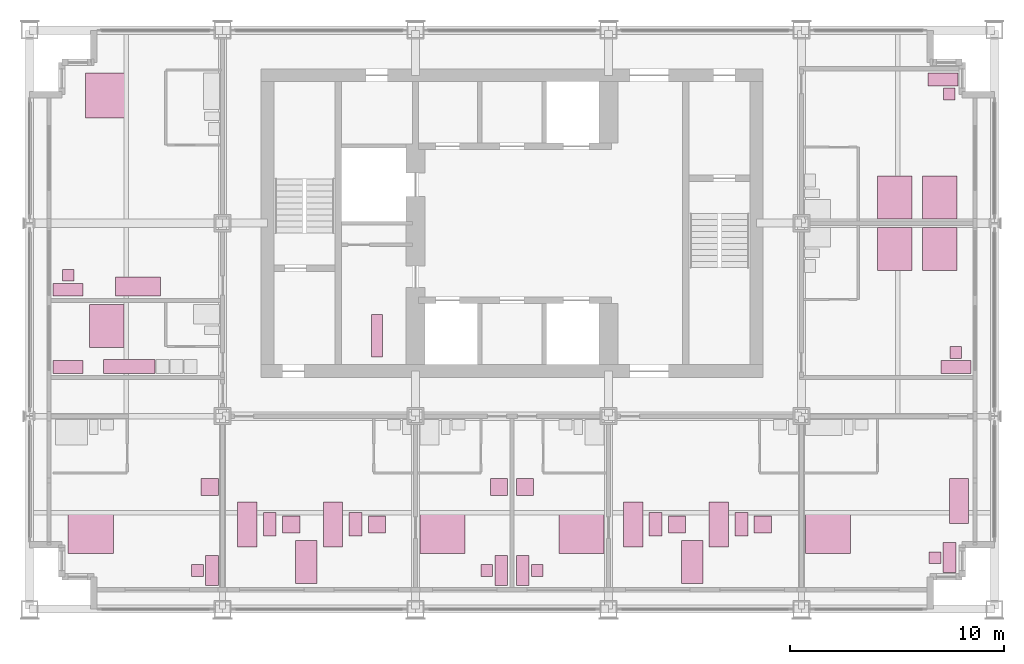
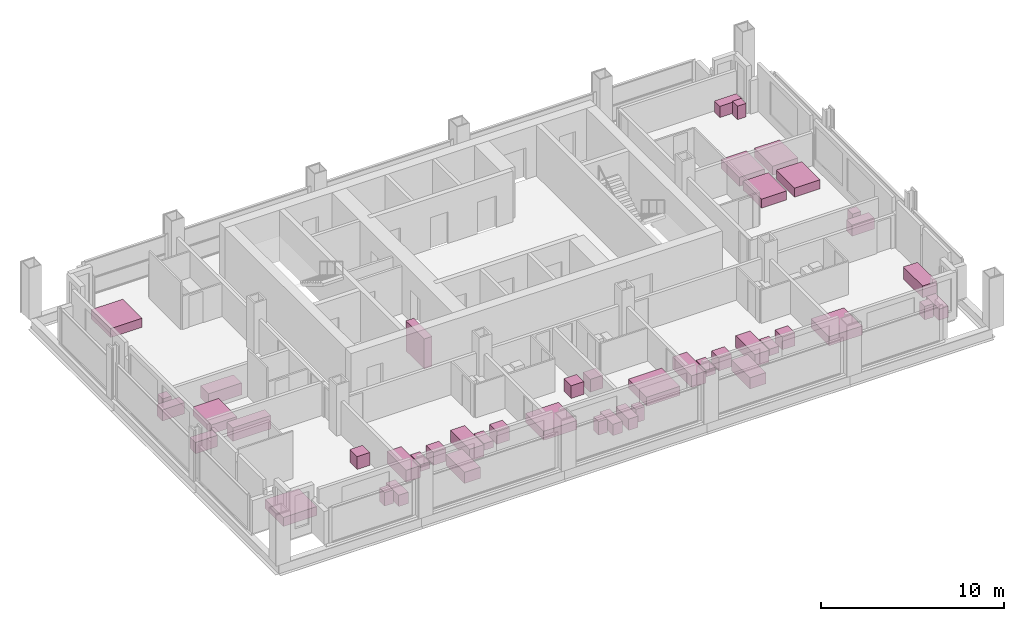
# One storey, part 13 of 13: 46 furniture elements.
"""IFC4 building model written with IfcOpenShell, lengths in metres."""

from ifc_helpers import new_model, si_unit, direction, frame, origin, origin_2d, place, context, subcontext, project, spatial, rectangle, extrude, element, save


model = new_model("IFC4")

# Units and contexts
model_context = context("Model", 3, precision=1e-05, world=origin(), true_north=direction((0.0, 1.0)))
body_context = subcontext(model_context, "Body", "Model", "MODEL_VIEW")
ifc_project = project(units=[si_unit("LENGTHUNIT", "METRE"), si_unit("AREAUNIT", "SQUARE_METRE"), si_unit("VOLUMEUNIT", "CUBIC_METRE"), si_unit("PLANEANGLEUNIT", "RADIAN"), si_unit("MASSUNIT", "GRAM", prefix="KILO")], contexts=[model_context])

# Site, building, storey
site_placement = place(None, origin())
site = spatial("IfcSite", under=ifc_project, at=site_placement, CompositionType="ELEMENT")
building_placement = place(site_placement, origin())
building = spatial("IfcBuilding", under=site, at=building_placement, Name="Loomwork Tower", CompositionType="ELEMENT")
storey_placement = place(building_placement, frame((0.0, 0.0, 218.199951171875)))
storey = spatial("IfcBuildingStorey", under=building, at=storey_placement, Name="L60", CompositionType="ELEMENT", Elevation=218.199951171875)

# Furniture
furniture_1_placement = place(storey_placement, frame((2.85009765625, 3.60009765625, 0.0), z_axis=(0.0, 0.0, 1.0), x_axis=(1.0, 0.0, 0.0)))
element("IfcFurniture", 1, at=furniture_1_placement, inside=storey, Name="King bed L60", PredefinedType="BED", context=body_context, shape_type="SweptSolid", body=[
    extrude(rectangle(XDim=2.10009765625, YDim=2.0, at=origin_2d()), origin(), (0.0, 0.0, 1.0), 0.60009765625),
])
furniture_2_placement = place(storey_placement, frame((8.5, 1.800048828125, 0.0), z_axis=(0.0, 0.0, 1.0), x_axis=(1.0, 0.0, 0.0)))
element("IfcFurniture", 2, at=furniture_2_placement, inside=storey, Name="Writing desk L60", PredefinedType="DESK", context=body_context, shape_type="SweptSolid", body=[
    extrude(rectangle(XDim=0.60009765625, YDim=1.39990234375, at=origin_2d()), origin(), (0.0, 0.0, 1.0), 0.75),
])
furniture_3_placement = place(storey_placement, frame((7.824951171875, 1.800048828125, 0.0), z_axis=(0.0, 0.0, 1.0), x_axis=(1.0, 0.0, 0.0)))
element("IfcFurniture", 3, at=furniture_3_placement, inside=storey, Name="Desk chair L60", PredefinedType="CHAIR", context=body_context, shape_type="SweptSolid", body=[
    extrude(rectangle(XDim=0.550048828125, YDim=0.550048828125, at=origin_2d()), origin(), (0.0, 0.0, 1.0), 0.89990234375),
])
furniture_4_placement = place(storey_placement, frame((8.39990234375, 5.699951171875, 0.0), z_axis=(0.0, 0.0, 1.0), x_axis=(1.0, 0.0, 0.0)))
element("IfcFurniture", 4, at=furniture_4_placement, inside=storey, Name="Lounge armchair L60", PredefinedType="CHAIR", context=body_context, shape_type="SweptSolid", body=[
    extrude(rectangle(XDim=0.800048828125, YDim=0.800048828125, at=origin_2d()), origin(), (0.0, 0.0, 1.0), 0.85009765625),
])
furniture_5_placement = place(storey_placement, frame((10.14990234375, 3.949951171875, 0.0), z_axis=(0.0, 0.0, 1.0), x_axis=(1.0, 0.0, 0.0)))
element("IfcFurniture", 5, at=furniture_5_placement, inside=storey, Name="Sofa L60", PredefinedType="SOFA", context=body_context, shape_type="SweptSolid", body=[
    extrude(rectangle(XDim=0.89990234375, YDim=2.10009765625, at=origin_2d()), origin(), (0.0, 0.0, 1.0), 0.800048828125),
])
furniture_6_placement = place(storey_placement, frame((11.199951171875, 3.949951171875, 0.0), z_axis=(0.0, 0.0, 1.0), x_axis=(1.0, 0.0, 0.0)))
element("IfcFurniture", 6, at=furniture_6_placement, inside=storey, Name="Coffee table L60", PredefinedType="TABLE", context=body_context, shape_type="SweptSolid", body=[
    extrude(rectangle(XDim=0.60009765625, YDim=1.10009765625, at=origin_2d()), origin(), (0.0, 0.0, 1.0), 0.449951171875),
])
furniture_7_placement = place(storey_placement, frame((12.199951171875, 3.949951171875, 0.0), z_axis=(0.0, 0.0, 1.0), x_axis=(1.0, 0.0, 0.0)))
element("IfcFurniture", 7, at=furniture_7_placement, inside=storey, Name="Lounge armchair L60", PredefinedType="CHAIR", context=body_context, shape_type="SweptSolid", body=[
    extrude(rectangle(XDim=0.800048828125, YDim=0.800048828125, at=origin_2d()), origin(), (0.0, 0.0, 1.0), 0.85009765625),
])
furniture_8_placement = place(storey_placement, frame((14.14990234375, 3.949951171875, 0.0), z_axis=(0.0, 0.0, 1.0), x_axis=(1.0, 0.0, 0.0)))
element("IfcFurniture", 8, at=furniture_8_placement, inside=storey, Name="Sofa L60", PredefinedType="SOFA", context=body_context, shape_type="SweptSolid", body=[
    extrude(rectangle(XDim=0.89990234375, YDim=2.10009765625, at=origin_2d()), origin(), (0.0, 0.0, 1.0), 0.800048828125),
])
furniture_9_placement = place(storey_placement, frame((15.199951171875, 3.949951171875, 0.0), z_axis=(0.0, 0.0, 1.0), x_axis=(1.0, 0.0, 0.0)))
element("IfcFurniture", 9, at=furniture_9_placement, inside=storey, Name="Coffee table L60", PredefinedType="TABLE", context=body_context, shape_type="SweptSolid", body=[
    extrude(rectangle(XDim=0.60009765625, YDim=1.10009765625, at=origin_2d()), origin(), (0.0, 0.0, 1.0), 0.449951171875),
])
furniture_10_placement = place(storey_placement, frame((16.199951171875, 3.949951171875, 0.0), z_axis=(0.0, 0.0, 1.0), x_axis=(1.0, 0.0, 0.0)))
element("IfcFurniture", 10, at=furniture_10_placement, inside=storey, Name="Lounge armchair L60", PredefinedType="CHAIR", context=body_context, shape_type="SweptSolid", body=[
    extrude(rectangle(XDim=0.800048828125, YDim=0.800048828125, at=origin_2d()), origin(), (0.0, 0.0, 1.0), 0.85009765625),
])
furniture_11_placement = place(storey_placement, frame((12.89990234375, 2.199951171875, 0.0), z_axis=(0.0, 0.0, 1.0), x_axis=(1.0, 0.0, 0.0)))
element("IfcFurniture", 11, at=furniture_11_placement, inside=storey, Name="Dining table L60", PredefinedType="TABLE", context=body_context, shape_type="SweptSolid", body=[
    extrude(rectangle(XDim=1.0, YDim=2.0, at=origin_2d()), origin(), (0.0, 0.0, 1.0), 0.75),
])
furniture_12_placement = place(storey_placement, frame((19.25, 3.60009765625, 0.0), z_axis=(0.0, 0.0, 1.0), x_axis=(1.0, 0.0, 0.0)))
element("IfcFurniture", 12, at=furniture_12_placement, inside=storey, Name="King bed L60", PredefinedType="BED", context=body_context, shape_type="SweptSolid", body=[
    extrude(rectangle(XDim=2.10009765625, YDim=2.0, at=origin_2d()), origin(), (0.0, 0.0, 1.0), 0.60009765625),
])
furniture_13_placement = place(storey_placement, frame((22.0, 1.800048828125, 0.0), z_axis=(0.0, 0.0, 1.0), x_axis=(1.0, 0.0, 0.0)))
element("IfcFurniture", 13, at=furniture_13_placement, inside=storey, Name="Writing desk L60", PredefinedType="DESK", context=body_context, shape_type="SweptSolid", body=[
    extrude(rectangle(XDim=0.60009765625, YDim=1.39990234375, at=origin_2d()), origin(), (0.0, 0.0, 1.0), 0.75),
])
furniture_14_placement = place(storey_placement, frame((21.324951171875, 1.800048828125, 0.0), z_axis=(0.0, 0.0, 1.0), x_axis=(1.0, 0.0, 0.0)))
element("IfcFurniture", 14, at=furniture_14_placement, inside=storey, Name="Desk chair L60", PredefinedType="CHAIR", context=body_context, shape_type="SweptSolid", body=[
    extrude(rectangle(XDim=0.550048828125, YDim=0.550048828125, at=origin_2d()), origin(), (0.0, 0.0, 1.0), 0.89990234375),
])
furniture_15_placement = place(storey_placement, frame((21.89990234375, 5.699951171875, 0.0), z_axis=(0.0, 0.0, 1.0), x_axis=(1.0, 0.0, 0.0)))
element("IfcFurniture", 15, at=furniture_15_placement, inside=storey, Name="Lounge armchair L60", PredefinedType="CHAIR", context=body_context, shape_type="SweptSolid", body=[
    extrude(rectangle(XDim=0.800048828125, YDim=0.800048828125, at=origin_2d()), origin(), (0.0, 0.0, 1.0), 0.85009765625),
])
furniture_16_placement = place(storey_placement, frame((25.75, 3.60009765625, 0.0), z_axis=(0.0, 0.0, 1.0), x_axis=(1.0, 0.0, 0.0)))
element("IfcFurniture", 16, at=furniture_16_placement, inside=storey, Name="King bed L60", PredefinedType="BED", context=body_context, shape_type="SweptSolid", body=[
    extrude(rectangle(XDim=2.10009765625, YDim=2.0, at=origin_2d()), origin(), (0.0, 0.0, 1.0), 0.60009765625),
])
furniture_17_placement = place(storey_placement, frame((23.0, 1.800048828125, 0.0), z_axis=(0.0, 0.0, 1.0), x_axis=(1.0, 0.0, 0.0)))
element("IfcFurniture", 17, at=furniture_17_placement, inside=storey, Name="Writing desk L60", PredefinedType="DESK", context=body_context, shape_type="SweptSolid", body=[
    extrude(rectangle(XDim=0.60009765625, YDim=1.39990234375, at=origin_2d()), origin(), (0.0, 0.0, 1.0), 0.75),
])
furniture_18_placement = place(storey_placement, frame((23.675048828125, 1.800048828125, 0.0), z_axis=(0.0, 0.0, 1.0), x_axis=(1.0, 0.0, 0.0)))
element("IfcFurniture", 18, at=furniture_18_placement, inside=storey, Name="Desk chair L60", PredefinedType="CHAIR", context=body_context, shape_type="SweptSolid", body=[
    extrude(rectangle(XDim=0.550048828125, YDim=0.550048828125, at=origin_2d()), origin(), (0.0, 0.0, 1.0), 0.89990234375),
])
furniture_19_placement = place(storey_placement, frame((23.10009765625, 5.699951171875, 0.0), z_axis=(0.0, 0.0, 1.0), x_axis=(1.0, 0.0, 0.0)))
element("IfcFurniture", 19, at=furniture_19_placement, inside=storey, Name="Lounge armchair L60", PredefinedType="CHAIR", context=body_context, shape_type="SweptSolid", body=[
    extrude(rectangle(XDim=0.800048828125, YDim=0.800048828125, at=origin_2d()), origin(), (0.0, 0.0, 1.0), 0.85009765625),
])
furniture_20_placement = place(storey_placement, frame((28.14990234375, 3.949951171875, 0.0), z_axis=(0.0, 0.0, 1.0), x_axis=(1.0, 0.0, 0.0)))
element("IfcFurniture", 20, at=furniture_20_placement, inside=storey, Name="Sofa L60", PredefinedType="SOFA", context=body_context, shape_type="SweptSolid", body=[
    extrude(rectangle(XDim=0.89990234375, YDim=2.10009765625, at=origin_2d()), origin(), (0.0, 0.0, 1.0), 0.800048828125),
])
furniture_21_placement = place(storey_placement, frame((29.199951171875, 3.949951171875, 0.0), z_axis=(0.0, 0.0, 1.0), x_axis=(1.0, 0.0, 0.0)))
element("IfcFurniture", 21, at=furniture_21_placement, inside=storey, Name="Coffee table L60", PredefinedType="TABLE", context=body_context, shape_type="SweptSolid", body=[
    extrude(rectangle(XDim=0.60009765625, YDim=1.10009765625, at=origin_2d()), origin(), (0.0, 0.0, 1.0), 0.449951171875),
])
furniture_22_placement = place(storey_placement, frame((30.199951171875, 3.949951171875, 0.0), z_axis=(0.0, 0.0, 1.0), x_axis=(1.0, 0.0, 0.0)))
element("IfcFurniture", 22, at=furniture_22_placement, inside=storey, Name="Lounge armchair L60", PredefinedType="CHAIR", context=body_context, shape_type="SweptSolid", body=[
    extrude(rectangle(XDim=0.800048828125, YDim=0.800048828125, at=origin_2d()), origin(), (0.0, 0.0, 1.0), 0.85009765625),
])
furniture_23_placement = place(storey_placement, frame((32.14990234375, 3.949951171875, 0.0), z_axis=(0.0, 0.0, 1.0), x_axis=(1.0, 0.0, 0.0)))
element("IfcFurniture", 23, at=furniture_23_placement, inside=storey, Name="Sofa L60", PredefinedType="SOFA", context=body_context, shape_type="SweptSolid", body=[
    extrude(rectangle(XDim=0.89990234375, YDim=2.10009765625, at=origin_2d()), origin(), (0.0, 0.0, 1.0), 0.800048828125),
])
furniture_24_placement = place(storey_placement, frame((33.199951171875, 3.949951171875, 0.0), z_axis=(0.0, 0.0, 1.0), x_axis=(1.0, 0.0, 0.0)))
element("IfcFurniture", 24, at=furniture_24_placement, inside=storey, Name="Coffee table L60", PredefinedType="TABLE", context=body_context, shape_type="SweptSolid", body=[
    extrude(rectangle(XDim=0.60009765625, YDim=1.10009765625, at=origin_2d()), origin(), (0.0, 0.0, 1.0), 0.449951171875),
])
furniture_25_placement = place(storey_placement, frame((34.199951171875, 3.949951171875, 0.0), z_axis=(0.0, 0.0, 1.0), x_axis=(1.0, 0.0, 0.0)))
element("IfcFurniture", 25, at=furniture_25_placement, inside=storey, Name="Lounge armchair L60", PredefinedType="CHAIR", context=body_context, shape_type="SweptSolid", body=[
    extrude(rectangle(XDim=0.800048828125, YDim=0.800048828125, at=origin_2d()), origin(), (0.0, 0.0, 1.0), 0.85009765625),
])
furniture_26_placement = place(storey_placement, frame((30.89990234375, 2.199951171875, 0.0), z_axis=(0.0, 0.0, 1.0), x_axis=(1.0, 0.0, 0.0)))
element("IfcFurniture", 26, at=furniture_26_placement, inside=storey, Name="Dining table L60", PredefinedType="TABLE", context=body_context, shape_type="SweptSolid", body=[
    extrude(rectangle(XDim=1.0, YDim=2.0, at=origin_2d()), origin(), (0.0, 0.0, 1.0), 0.75),
])
furniture_27_placement = place(storey_placement, frame((37.25, 3.60009765625, 0.0), z_axis=(0.0, 0.0, 1.0), x_axis=(1.0, 0.0, 0.0)))
element("IfcFurniture", 27, at=furniture_27_placement, inside=storey, Name="King bed L60", PredefinedType="BED", context=body_context, shape_type="SweptSolid", body=[
    extrude(rectangle(XDim=2.10009765625, YDim=2.0, at=origin_2d()), origin(), (0.0, 0.0, 1.0), 0.60009765625),
])
furniture_28_placement = place(storey_placement, frame((42.89990234375, 2.39990234375, 0.0), z_axis=(0.0, 0.0, 1.0), x_axis=(1.0, 0.0, 0.0)))
element("IfcFurniture", 28, at=furniture_28_placement, inside=storey, Name="Writing desk L60", PredefinedType="DESK", context=body_context, shape_type="SweptSolid", body=[
    extrude(rectangle(XDim=0.60009765625, YDim=1.39990234375, at=origin_2d()), origin(), (0.0, 0.0, 1.0), 0.75),
])
furniture_29_placement = place(storey_placement, frame((42.22509765625, 2.39990234375, 0.0), z_axis=(0.0, 0.0, 1.0), x_axis=(1.0, 0.0, 0.0)))
element("IfcFurniture", 29, at=furniture_29_placement, inside=storey, Name="Desk chair L60", PredefinedType="CHAIR", context=body_context, shape_type="SweptSolid", body=[
    extrude(rectangle(XDim=0.550048828125, YDim=0.550048828125, at=origin_2d()), origin(), (0.0, 0.0, 1.0), 0.89990234375),
])
furniture_30_placement = place(storey_placement, frame((43.35009765625, 5.050048828125, 0.0), z_axis=(0.0, 0.0, 1.0), x_axis=(1.0, 0.0, 0.0)))
element("IfcFurniture", 30, at=furniture_30_placement, inside=storey, Name="Sofa L60", PredefinedType="SOFA", context=body_context, shape_type="SweptSolid", body=[
    extrude(rectangle(XDim=0.89990234375, YDim=2.10009765625, at=origin_2d()), origin(), (0.0, 0.0, 1.0), 0.800048828125),
])
furniture_31_placement = place(storey_placement, frame((3.60009765625, 13.199951171875, 0.0), z_axis=(0.0, 0.0, 1.0), x_axis=(1.0, 0.0, 0.0)))
element("IfcFurniture", 31, at=furniture_31_placement, inside=storey, Name="Queen bed L60", PredefinedType="BED", context=body_context, shape_type="SweptSolid", body=[
    extrude(rectangle(XDim=1.60009765625, YDim=2.0, at=origin_2d()), origin(), (0.0, 0.0, 1.0), 0.60009765625),
])
furniture_32_placement = place(storey_placement, frame((1.800048828125, 11.300048828125, 0.0), z_axis=(0.0, 0.0, 1.0), x_axis=(1.0, 0.0, 0.0)))
element("IfcFurniture", 32, at=furniture_32_placement, inside=storey, Name="Writing desk L60", PredefinedType="DESK", context=body_context, shape_type="SweptSolid", body=[
    extrude(rectangle(XDim=1.39990234375, YDim=0.60009765625, at=origin_2d()), origin(), (0.0, 0.0, 1.0), 0.75),
])
furniture_33_placement = place(storey_placement, frame((4.64990234375, 11.324951171875, 0.0), z_axis=(0.0, 0.0, 1.0), x_axis=(1.0, 0.0, 0.0)))
element("IfcFurniture", 33, at=furniture_33_placement, inside=storey, Name="Kitchenette counter L60", ObjectType="KITCHENETTE", PredefinedType="USERDEFINED", context=body_context, shape_type="SweptSolid", body=[
    extrude(rectangle(XDim=2.39990234375, YDim=0.64990234375, at=origin_2d()), origin(), (0.0, 0.0, 1.0), 0.89990234375),
])
furniture_34_placement = place(storey_placement, frame((3.60009765625, 23.949951171875, 0.0), z_axis=(0.0, 0.0, 1.0), x_axis=(1.0, 0.0, 0.0)))
element("IfcFurniture", 34, at=furniture_34_placement, inside=storey, Name="King bed L60", PredefinedType="BED", context=body_context, shape_type="SweptSolid", body=[
    extrude(rectangle(XDim=2.0, YDim=2.10009765625, at=origin_2d()), origin(), (0.0, 0.0, 1.0), 0.60009765625),
])
furniture_35_placement = place(storey_placement, frame((1.800048828125, 14.89990234375, 0.0), z_axis=(0.0, 0.0, 1.0), x_axis=(1.0, 0.0, 0.0)))
element("IfcFurniture", 35, at=furniture_35_placement, inside=storey, Name="Writing desk L60", PredefinedType="DESK", context=body_context, shape_type="SweptSolid", body=[
    extrude(rectangle(XDim=1.39990234375, YDim=0.60009765625, at=origin_2d()), origin(), (0.0, 0.0, 1.0), 0.75),
])
furniture_36_placement = place(storey_placement, frame((1.800048828125, 15.574951171875, 0.0), z_axis=(0.0, 0.0, 1.0), x_axis=(1.0, 0.0, 0.0)))
element("IfcFurniture", 36, at=furniture_36_placement, inside=storey, Name="Desk chair L60", PredefinedType="CHAIR", context=body_context, shape_type="SweptSolid", body=[
    extrude(rectangle(XDim=0.550048828125, YDim=0.550048828125, at=origin_2d()), origin(), (0.0, 0.0, 1.0), 0.89990234375),
])
furniture_37_placement = place(storey_placement, frame((5.050048828125, 15.050048828125, 0.0), z_axis=(0.0, 0.0, 1.0), x_axis=(1.0, 0.0, 0.0)))
element("IfcFurniture", 37, at=furniture_37_placement, inside=storey, Name="Sofa L60", PredefinedType="SOFA", context=body_context, shape_type="SweptSolid", body=[
    extrude(rectangle(XDim=2.10009765625, YDim=0.89990234375, at=origin_2d()), origin(), (0.0, 0.0, 1.0), 0.800048828125),
])
for number, where, z_axis, x_axis, name in (
    (38, (40.35009765625, 16.800048828125, 0.0), (0.0, 0.0, 1.0), (1.0, 0.0, 0.0), "Queen bed L60"),
    (39, (42.449951171875, 16.800048828125, 0.0), (0.0, 0.0, 1.0), (1.0, 0.0, 0.0), "Queen bed L60"),
):
    element("IfcFurniture", number, at=place(storey_placement, frame(where, z_axis=z_axis, x_axis=x_axis)), inside=storey, Name=name, PredefinedType="BED", context=body_context, shape_type="SweptSolid", body=[
        extrude(rectangle(XDim=1.60009765625, YDim=2.0, at=origin_2d()), origin(), (0.0, 0.0, 1.0), 0.60009765625),
    ])
furniture_38_placement = place(storey_placement, frame((43.199951171875, 11.300048828125, 0.0), z_axis=(0.0, 0.0, 1.0), x_axis=(1.0, 0.0, 0.0)))
element("IfcFurniture", 40, at=furniture_38_placement, inside=storey, Name="Writing desk L60", PredefinedType="DESK", context=body_context, shape_type="SweptSolid", body=[
    extrude(rectangle(XDim=1.39990234375, YDim=0.60009765625, at=origin_2d()), origin(), (0.0, 0.0, 1.0), 0.75),
])
furniture_39_placement = place(storey_placement, frame((43.199951171875, 11.97509765625, 0.0), z_axis=(0.0, 0.0, 1.0), x_axis=(1.0, 0.0, 0.0)))
element("IfcFurniture", 41, at=furniture_39_placement, inside=storey, Name="Desk chair L60", PredefinedType="CHAIR", context=body_context, shape_type="SweptSolid", body=[
    extrude(rectangle(XDim=0.550048828125, YDim=0.550048828125, at=origin_2d()), origin(), (0.0, 0.0, 1.0), 0.89990234375),
])
for number, where, z_axis, x_axis, name in (
    (42, (40.35009765625, 19.199951171875, 0.0), (0.0, 0.0, 1.0), (1.0, 0.0, 0.0), "Queen bed L60"),
    (43, (42.449951171875, 19.199951171875, 0.0), (0.0, 0.0, 1.0), (1.0, 0.0, 0.0), "Queen bed L60"),
):
    element("IfcFurniture", number, at=place(storey_placement, frame(where, z_axis=z_axis, x_axis=x_axis)), inside=storey, Name=name, PredefinedType="BED", context=body_context, shape_type="SweptSolid", body=[
        extrude(rectangle(XDim=1.60009765625, YDim=2.0, at=origin_2d()), origin(), (0.0, 0.0, 1.0), 0.60009765625),
    ])
furniture_40_placement = place(storey_placement, frame((42.60009765625, 24.699951171875, 0.0), z_axis=(0.0, 0.0, 1.0), x_axis=(1.0, 0.0, 0.0)))
element("IfcFurniture", 44, at=furniture_40_placement, inside=storey, Name="Writing desk L60", PredefinedType="DESK", context=body_context, shape_type="SweptSolid", body=[
    extrude(rectangle(XDim=1.39990234375, YDim=0.60009765625, at=origin_2d()), origin(), (0.0, 0.0, 1.0), 0.75),
])
furniture_41_placement = place(storey_placement, frame((42.89990234375, 24.02490234375, 0.0), z_axis=(0.0, 0.0, 1.0), x_axis=(1.0, 0.0, 0.0)))
element("IfcFurniture", 45, at=furniture_41_placement, inside=storey, Name="Desk chair L60", PredefinedType="CHAIR", context=body_context, shape_type="SweptSolid", body=[
    extrude(rectangle(XDim=0.550048828125, YDim=0.550048828125, at=origin_2d()), origin(), (0.0, 0.0, 1.0), 0.89990234375),
])
furniture_42_placement = place(storey_placement, frame((16.199951171875, 12.75, 0.0), z_axis=(0.0, 0.0, 1.0), x_axis=(1.0, 0.0, 0.0)))
element("IfcFurniture", 46, at=furniture_42_placement, inside=storey, Name="Linen shelving L60", PredefinedType="SHELF", context=body_context, shape_type="SweptSolid", body=[
    extrude(rectangle(XDim=0.5, YDim=2.0, at=origin_2d()), origin(), (0.0, 0.0, 1.0), 2.0),
])

save(model, "model.ifc")
